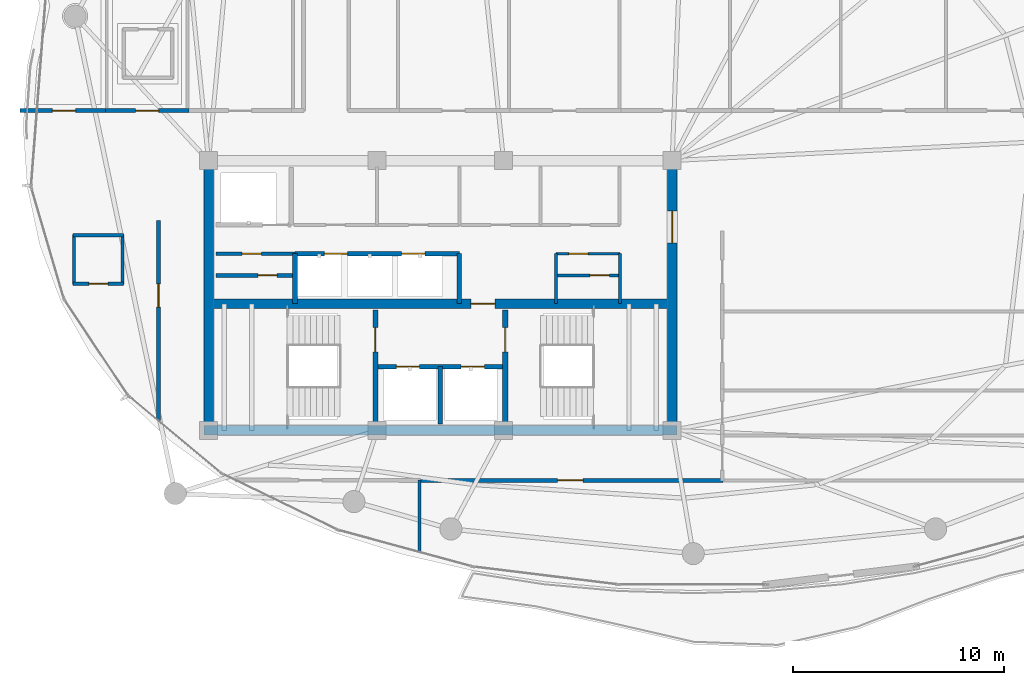
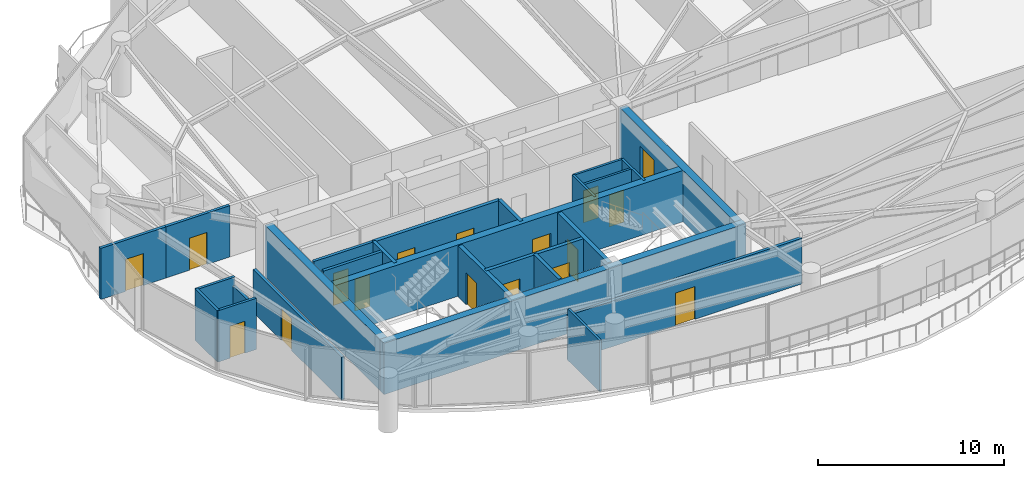
# One storey, part 25 of 31: 26 walls, 17 doors, 17 openings.
"""IFC4 building model written with IfcOpenShell, lengths in metres."""

import ifcopenshell
import ifcopenshell.guid

model = None  # the IFC model being written
_history = None  # IfcOwnerHistory: only IFC2X3 demands one
_inside = {}  # id of a spatial element -> (the spatial element, [elements in it])
_under = {}  # id of a project, library or spatial element -> (it, [spatial elements below it])
_declared = {}  # id of a project -> (the project, [libraries it declares])
_typed = {}  # id of a type object -> (the type object, [elements of that type])
_made_of = {}  # id of a material, layer set ... -> (it, [elements and type objects made of it])


def new_model(schema):
    """Start an empty IFC model of exactly this schema.

    Asked for "IFC4X3", IfcOpenShell would pick the latest addendum, in which some entities
    have other attributes; the version numbers below select the first issue.
    IFC2X3 requires an IfcOwnerHistory on every rooted entity: one is made here for all.
    """
    global model, _history
    if schema == "IFC4X3":
        model = ifcopenshell.file(schema_version=(4, 3, 0, 0))
    else:
        model = ifcopenshell.file(schema=schema)
    _inside.clear()
    _under.clear()
    _declared.clear()
    _typed.clear()
    _made_of.clear()
    _history = None
    if model.schema == "IFC2X3":
        org = make("IfcOrganization", Name="unknown")
        user = make(
            "IfcPersonAndOrganization",
            ThePerson=make("IfcPerson", FamilyName="unknown"),
            TheOrganization=org,
        )
        app = make(
            "IfcApplication",
            ApplicationDeveloper=org,
            Version="unknown",
            ApplicationFullName="unknown",
            ApplicationIdentifier="unknown",
        )
        _history = make(
            "IfcOwnerHistory",
            OwningUser=user,
            OwningApplication=app,
            ChangeAction="ADDED",
            CreationDate=0,
        )
    return model


def make(cls, **values):
    """One entity of the class cls with the attributes given. An attribute that is None is left unset."""
    return model.create_entity(
        cls, **{name: value for name, value in values.items() if value is not None}
    )


def rooted(cls, **values):
    """An entity with a GlobalId (a new one), such as an element, a storey or a relation."""
    return make(cls, GlobalId=ifcopenshell.guid.new(), OwnerHistory=_history, **values)


def si_unit(unit_type, name, prefix=None):
    """IfcSIUnit, for example si_unit("LENGTHUNIT", "METRE", prefix="MILLI")."""
    return make("IfcSIUnit", UnitType=unit_type, Prefix=prefix, Name=name)


def assignment(units):
    """IfcUnitAssignment: the units of a project."""
    return None if units is None else make("IfcUnitAssignment", Units=units)


def point(xyz):
    """IfcCartesianPoint."""
    return None if xyz is None else make("IfcCartesianPoint", Coordinates=xyz)


def direction(xyz):
    """IfcDirection."""
    return None if xyz is None else make("IfcDirection", DirectionRatios=xyz)


def frame(location, z_axis=None, x_axis=None):
    """IfcAxis2Placement3D, a coordinate frame: its origin and axes. An axis left out is left unset."""
    return make(
        "IfcAxis2Placement3D",
        Location=point(location),
        Axis=direction(z_axis),
        RefDirection=direction(x_axis),
    )


def frame_2d(location, x_axis=None):
    """IfcAxis2Placement2D, a coordinate frame in the plane: its origin and x axis."""
    return make(
        "IfcAxis2Placement2D", Location=point(location), RefDirection=direction(x_axis)
    )


def origin():
    """The frame at (0, 0, 0) with its axes left unset."""
    return frame((0.0, 0.0, 0.0))


def place(relative_to, where):
    """IfcLocalPlacement: puts the frame where relative to a parent placement (None: the world)."""
    return make(
        "IfcLocalPlacement", PlacementRelTo=relative_to, RelativePlacement=where
    )


def context(
    kind, dimensions, precision=None, world=None, true_north=None, identifier=None
):
    """IfcGeometricRepresentationContext, for example the 3D "Model" context."""
    return make(
        "IfcGeometricRepresentationContext",
        ContextIdentifier=identifier,
        ContextType=kind,
        CoordinateSpaceDimension=dimensions,
        Precision=precision,
        WorldCoordinateSystem=world,
        TrueNorth=true_north,
    )


def subcontext(parent, identifier, kind, view, scale=None):
    """IfcGeometricRepresentationSubContext, for example "Body" below "Model"."""
    return make(
        "IfcGeometricRepresentationSubContext",
        ContextIdentifier=identifier,
        ContextType=kind,
        ParentContext=parent,
        TargetScale=scale,
        TargetView=view,
    )


def project(units=None, contexts=None):
    """IfcProject with its units and contexts."""
    return rooted(
        "IfcProject",
        Name="project",
        RepresentationContexts=contexts,
        UnitsInContext=assignment(units),
    )


def spatial(cls, under=None, at=None, **own):
    """A site, building, storey or space (cls), placed at a placement, below another one or the project."""
    s = rooted(cls, ObjectPlacement=at, **own)
    if under is not None:
        _under.setdefault(under.id(), (under, []))[1].append(s)
    return s


def profile(cls, at=None, kind="AREA", **sizes):
    """A parametric profile (cls). Its sizes go by their IFC names, for example OverallWidth=200.0."""
    return make(cls, ProfileType=kind, Position=at, **sizes)


def rectangle(**sizes):
    """IfcRectangleProfileDef."""
    return profile("IfcRectangleProfileDef", **sizes)


def extrude(swept, where, along, depth):
    """IfcExtrudedAreaSolid: the profile swept, set in the frame where, extruded along a direction by depth."""
    return make(
        "IfcExtrudedAreaSolid",
        SweptArea=swept,
        Position=where,
        ExtrudedDirection=direction(along),
        Depth=depth,
    )


def shape(context_of_items, identifier, shape_type, items):
    """IfcShapeRepresentation: the items that make up one representation, for example the "Body"."""
    return make(
        "IfcShapeRepresentation",
        ContextOfItems=context_of_items,
        RepresentationIdentifier=identifier,
        RepresentationType=shape_type,
        Items=items,
    )


def material(Name=None, Category=None):
    """IfcMaterial."""
    return make("IfcMaterial", Name=Name, Category=Category)


def layer(
    of_material, thickness, ventilated=None, Name=None, Category=None, Priority=None
):
    """IfcMaterialLayer: one layer of a wall or slab, of a material (None: an air gap)."""
    return make(
        "IfcMaterialLayer",
        Material=of_material,
        LayerThickness=thickness,
        IsVentilated=ventilated,
        Name=Name,
        Category=Category,
        Priority=Priority,
    )


def layer_set(layers, Name=None):
    """IfcMaterialLayerSet."""
    return make("IfcMaterialLayerSet", MaterialLayers=layers, LayerSetName=Name)


def made_of(thing, what):
    """Note that an element or type object is made of a material, layer set ...; save() writes the relation."""
    if what is not None:
        _made_of.setdefault(what.id(), (what, []))[1].append(thing)
    return thing


def type_object(cls, material=None, **own):
    """A type object (cls), such as IfcWallType, which elements share."""
    return made_of(rooted(cls, **own), material)


def element(
    cls,
    number,
    at=None,
    inside=None,
    cuts=None,
    type_object=None,
    material=None,
    context=None,
    identifier="Body",
    shape_type=None,
    held_by="IfcProductDefinitionShape",
    body=None,
    shapes=None,
    **own,
):
    """One element of the class cls, such as IfcWall. Its Tag is "e" and its number.

    at: its placement. inside: the storey or other place that contains it. cuts: it is an
    opening in that element (IfcRelVoidsElement). A single representation is given by context,
    identifier, shape_type and body (its items); several are given by shapes. held_by: the class
    of the entity that holds the representations. save() writes the other relations.
    """
    e = rooted(cls, Tag="e%d" % number, ObjectPlacement=at, **own)
    if body is not None:
        shapes = [shape(context, identifier, shape_type, body)]
    if shapes is not None:
        e.Representation = make(held_by, Representations=shapes)
    if inside is not None:
        _inside.setdefault(inside.id(), (inside, []))[1].append(e)
    if cuts is not None:
        rooted(
            "IfcRelVoidsElement", RelatingBuildingElement=cuts, RelatedOpeningElement=e
        )
    if type_object is not None:
        _typed.setdefault(type_object.id(), (type_object, []))[1].append(e)
    return made_of(e, material)


def fill(opening, filler):
    """IfcRelFillsElement: the door or window that sits in an opening."""
    return rooted(
        "IfcRelFillsElement",
        RelatingOpeningElement=opening,
        RelatedBuildingElement=filler,
    )


def aggregate(whole, parts):
    """IfcRelAggregates: a whole, such as a stair, and the parts it consists of."""
    return rooted("IfcRelAggregates", RelatingObject=whole, RelatedObjects=parts)


def save(model, path):
    """Write the relations noted so far, then the file.

    IfcRelAggregates (storeys below a building ...), IfcRelContainedInSpatialStructure (elements
    in a storey), IfcRelDefinesByType, IfcRelAssociatesMaterial and IfcRelDeclares: one each for
    every whole, place, type object, material and project.
    """
    for whole, parts in _under.values():
        aggregate(whole, parts)
    for where, things in _inside.values():
        rooted(
            "IfcRelContainedInSpatialStructure",
            RelatedElements=things,
            RelatingStructure=where,
        )
    for kind, things in _typed.values():
        rooted("IfcRelDefinesByType", RelatedObjects=things, RelatingType=kind)
    for what, things in _made_of.values():
        rooted("IfcRelAssociatesMaterial", RelatedObjects=things, RelatingMaterial=what)
    for by, libraries in _declared.values():
        rooted("IfcRelDeclares", RelatingContext=by, RelatedDefinitions=libraries)
    model.write(path)


model = new_model("IFC4")

# Units and contexts
model_context = context("Model", 3, precision=1e-05, world=origin(), true_north=direction((0.0, 1.0)))
body_context = subcontext(model_context, "Body", "Model", "MODEL_VIEW")
ifc_project = project(units=[si_unit("LENGTHUNIT", "METRE"), si_unit("AREAUNIT", "SQUARE_METRE"), si_unit("VOLUMEUNIT", "CUBIC_METRE"), si_unit("PLANEANGLEUNIT", "RADIAN"), si_unit("MASSUNIT", "GRAM", prefix="KILO")], contexts=[model_context])

# Site, building, storey
site_placement = place(None, origin())
site = spatial("IfcSite", under=ifc_project, at=site_placement, CompositionType="ELEMENT")
building_placement = place(site_placement, origin())
building = spatial("IfcBuilding", under=site, at=building_placement, Name="Kazevale Care Tower and Concert Hall", CompositionType="ELEMENT")
storey_placement = place(building_placement, frame((0.0, 0.0, 202.800048828125)))
storey = spatial("IfcBuildingStorey", under=building, at=storey_placement, Name="L53", CompositionType="ELEMENT", Elevation=202.800048828125)

# Walls
ifc_material_1 = material(Name="Acoustic Gypsum on Steel Stud", Category="steel")
ifc_layer_1 = layer(ifc_material_1, 0.139892578125)
ifc_layer_set_1 = layer_set([ifc_layer_1], Name="Acoustic Gypsum on Steel Stud")
wall_type_1 = type_object("IfcWallType", Name="Acoustic Care & Suite Partition 140", PredefinedType="PARTITIONING", material=ifc_layer_set_1)
for number, where, z_axis, x_axis, name in (
    (1, (38.47998046875, 29.6201171875, 0.0), (0.0, 0.0, 1.0), (0.0, 1.0, 0.0), "wall:L53:kc_ew"),
    (2, (41.52001953125, 29.6201171875, 0.0), (0.0, 0.0, 1.0), (0.0, 1.0, 0.0), "wall:L53:kc_ee"),
):
    element("IfcWall", number, at=place(storey_placement, frame(where, z_axis=z_axis, x_axis=x_axis)), inside=storey, type_object=wall_type_1, Name=name, PredefinedType="PARTITIONING", context=body_context, shape_type="SweptSolid", body=[
        extrude(rectangle(XDim=2.35986328125, YDim=0.139892578125, at=frame_2d((1.179931640625, 0.0))), origin(), (0.0, 0.0, 1.0), 3.35986328125),
    ])

# Wall, opening, door
wall_1_placement = place(storey_placement, frame((38.47998046875, 30.949951171875, 0.0), z_axis=(0.0, 0.0, 1.0), x_axis=(1.0, 0.0, 0.0)))
wall_1 = element("IfcWall", 3, at=wall_1_placement, inside=storey, type_object=wall_type_1, Name="wall:L53:kc_em", PredefinedType="PARTITIONING", context=body_context, shape_type="SweptSolid", body=[
    extrude(rectangle(XDim=3.0400390625, YDim=0.139892578125, at=frame_2d((1.52001953125, 0.0))), origin(), (0.0, 0.0, 1.0), 3.35986328125),
])
opening_1_placement = place(wall_1_placement, frame((1.616943359375, 0.0, 0.0)))
opening_1 = element("IfcOpeningElement", 4, at=opening_1_placement, cuts=wall_1, Name="Opening ID-900", PredefinedType="OPENING", context=body_context, shape_type="SweptSolid", body=[
    extrude(rectangle(XDim=0.919921875, YDim=2.10009765625, at=frame_2d((0.4599609375, 1.050048828125))), frame((0.0, 0.079833984375, 0.0), z_axis=(0.0, -1.0, 0.0), x_axis=(1.0, 0.0, 0.0)), (0.0, 0.0, 1.0), 0.159912109375),
])
ifc_material_2 = material(Name="Oak Timber Fire Leaf", Category="wood")
door_type_1 = type_object("IfcDoorType", Name="Bathroom & Service Door 920x2100", OperationType="NOTDEFINED", PredefinedType="DOOR", material=ifc_material_2)
door_1_placement = place(opening_1_placement, origin())
door_1 = element("IfcDoor", 5, at=door_1_placement, inside=storey, type_object=door_type_1, Name="door:L53:d_kceb", OperationType="SINGLE_SWING_RIGHT", OverallHeight=2.10009765625, OverallWidth=0.919921875, PredefinedType="DOOR", context=body_context, shape_type="SweptSolid", body=[
    extrude(rectangle(XDim=0.919921875, YDim=2.10009765625, at=frame_2d((0.4599609375, 1.050048828125))), frame((0.0, 0.02490234375, 0.0), z_axis=(0.0, -1.0, 0.0), x_axis=(1.0, 0.0, 0.0)), (0.0, 0.0, 1.0), 0.050048828125),
])
fill(opening_1, door_1)

wall_2_placement = place(storey_placement, frame((38.47998046875, 31.97998046875, 0.0), z_axis=(0.0, 0.0, 1.0), x_axis=(1.0, 0.0, 0.0)))
wall_2 = element("IfcWall", 6, at=wall_2_placement, inside=storey, type_object=wall_type_1, Name="wall:L53:kc_en", PredefinedType="PARTITIONING", context=body_context, shape_type="SweptSolid", body=[
    extrude(rectangle(XDim=3.0400390625, YDim=0.139892578125, at=frame_2d((1.52001953125, 0.0))), origin(), (0.0, 0.0, 1.0), 3.35986328125),
])
opening_2_placement = place(wall_2_placement, frame((0.614013671875, 0.0, 0.0)))
opening_2 = element("IfcOpeningElement", 7, at=opening_2_placement, cuts=wall_2, Name="Opening ID-900", PredefinedType="OPENING", context=body_context, shape_type="SweptSolid", body=[
    extrude(rectangle(XDim=0.919921875, YDim=2.10009765625, at=frame_2d((0.4599609375, 1.050048828125))), frame((0.0, 0.079833984375, 0.0), z_axis=(0.0, -1.0, 0.0), x_axis=(1.0, 0.0, 0.0)), (0.0, 0.0, 1.0), 0.159912109375),
])
door_2_placement = place(opening_2_placement, origin())
door_2 = element("IfcDoor", 8, at=door_2_placement, inside=storey, type_object=door_type_1, Name="door:L53:d_kcet", OperationType="SINGLE_SWING_LEFT", OverallHeight=2.10009765625, OverallWidth=0.919921875, PredefinedType="DOOR", context=body_context, shape_type="SweptSolid", body=[
    extrude(rectangle(XDim=0.919921875, YDim=2.10009765625, at=frame_2d((0.4599609375, 1.050048828125))), frame((0.0, 0.02490234375, 0.0), z_axis=(0.0, -1.0, 0.0), x_axis=(1.0, 0.0, 0.0)), (0.0, 0.0, 1.0), 0.050048828125),
])
fill(opening_2, door_2)

# Walls
wall_3_placement = place(storey_placement, frame((32.0, 21.2548828125, 0.0), z_axis=(0.0, 0.0, 1.0), x_axis=(0.0, -1.0, 0.0)))
element("IfcWall", 9, at=wall_3_placement, inside=storey, type_object=wall_type_1, Name="wall:L53:auto_038", PredefinedType="PARTITIONING", context=body_context, shape_type="SweptSolid", body=[
    extrude(rectangle(XDim=3.42236328125, YDim=0.139892578125, at=frame_2d((1.711181640625, 0.0))), origin(), (0.0, 0.0, 1.0), 3.35986328125),
])
ifc_material_3 = material(Name="Concrete C50", Category="concrete")
ifc_layer_2 = layer(ifc_material_3, 0.449951171875)
ifc_layer_set_2 = layer_set([ifc_layer_2], Name="Concrete C50")
wall_type_2 = type_object("IfcWallType", Name="Core Shear Wall 450 C50", PredefinedType="SHEAR", material=ifc_layer_set_2)
wall_4_placement = place(storey_placement, frame((21.77490234375, 23.60009765625, 0.0), z_axis=(0.0, 0.0, 1.0), x_axis=(1.0, 0.0, 0.0)))
element("IfcWall", 10, at=wall_4_placement, inside=storey, type_object=wall_type_2, Name="wall:L53:core:S", PredefinedType="SHEAR", context=body_context, shape_type="SweptSolid", body=[
    extrude(rectangle(XDim=22.4501953125, YDim=0.449951171875, at=frame_2d((11.22509765625, 0.0))), origin(), (0.0, 0.0, 1.0), 3.35986328125),
])
wall_5_placement = place(storey_placement, frame((22.0, 23.824951171875, 0.0), z_axis=(0.0, 0.0, 1.0), x_axis=(0.0, 1.0, 0.0)))
element("IfcWall", 11, at=wall_5_placement, inside=storey, type_object=wall_type_2, Name="wall:L53:core:W", PredefinedType="SHEAR", context=body_context, shape_type="SweptSolid", body=[
    extrude(rectangle(XDim=12.35009765625, YDim=0.449951171875, at=frame_2d((6.175048828125, 0.0))), origin(), (0.0, 0.0, 1.0), 3.35986328125),
])

# Wall, opening, door
wall_6_placement = place(storey_placement, frame((44.0, 23.824951171875, 0.0), z_axis=(0.0, 0.0, 1.0), x_axis=(0.0, 1.0, 0.0)))
wall_6 = element("IfcWall", 12, at=wall_6_placement, inside=storey, type_object=wall_type_2, Name="wall:L53:core:E", PredefinedType="SHEAR", context=body_context, shape_type="SweptSolid", body=[
    extrude(rectangle(XDim=12.35009765625, YDim=0.449951171875, at=frame_2d((6.175048828125, 0.0))), origin(), (0.0, 0.0, 1.0), 3.35986328125),
])
opening_3_placement = place(wall_6_placement, frame((8.675048828125, 0.0, 0.0)))
opening_3 = element("IfcOpeningElement", 13, at=opening_3_placement, cuts=wall_6, Name="Opening FD-60D", PredefinedType="OPENING", context=body_context, shape_type="SweptSolid", body=[
    extrude(rectangle(XDim=1.5, YDim=2.14990234375, at=frame_2d((0.75, 1.074951171875))), frame((0.0, 0.23486328125, 0.0), z_axis=(0.0, -1.0, 0.0), x_axis=(1.0, 0.0, 0.0)), (0.0, 0.0, 1.0), 0.469970703125),
])
door_type_2 = type_object("IfcDoorType", Name="Double Lobby & Auditorium Fire Door 1500x2150", OperationType="NOTDEFINED", PredefinedType="DOOR", material=ifc_material_2)
door_3_placement = place(opening_3_placement, origin())
door_3 = element("IfcDoor", 14, at=door_3_placement, inside=storey, type_object=door_type_2, Name="door:L53:core_east_out", OperationType="DOUBLE_DOOR_SINGLE_SWING", OverallHeight=2.14990234375, OverallWidth=1.5, PredefinedType="DOOR", context=body_context, shape_type="SweptSolid", body=[
    extrude(rectangle(XDim=1.5, YDim=2.14990234375, at=frame_2d((0.75, 1.074951171875))), frame((0.0, 0.02490234375, 0.0), z_axis=(0.0, -1.0, 0.0), x_axis=(1.0, 0.0, 0.0)), (0.0, 0.0, 1.0), 0.050048828125),
])
fill(opening_3, door_3)

wall_7_placement = place(storey_placement, frame((22.22509765625, 29.60009765625, 0.0), z_axis=(0.0, 0.0, 1.0), x_axis=(1.0, 0.0, 0.0)))
wall_7 = element("IfcWall", 15, at=wall_7_placement, inside=storey, type_object=wall_type_2, Name="wall:L53:core:M", PredefinedType="SHEAR", context=body_context, shape_type="SweptSolid", body=[
    extrude(rectangle(XDim=21.5498046875, YDim=0.449951171875, at=frame_2d((10.77490234375, 0.0))), origin(), (0.0, 0.0, 1.0), 3.35986328125),
])
opening_4_placement = place(wall_7_placement, frame((12.22509765625, 0.0, 0.0)))
opening_4 = element("IfcOpeningElement", 16, at=opening_4_placement, cuts=wall_7, Name="Opening FD-90", PredefinedType="OPENING", context=body_context, shape_type="SweptSolid", body=[
    extrude(rectangle(XDim=1.14990234375, YDim=2.10009765625, at=frame_2d((0.574951171875, 1.050048828125))), frame((0.0, 0.23486328125, 0.0), z_axis=(0.0, -1.0, 0.0), x_axis=(1.0, 0.0, 0.0)), (0.0, 0.0, 1.0), 0.469970703125),
])
ifc_material_4 = material(Name="Steel ASTM A572 Gr 50", Category="steel")
door_type_3 = type_object("IfcDoorType", Name="Pressurized Stair & Lobby Fire Door 1150x2100", OperationType="NOTDEFINED", PredefinedType="DOOR", material=ifc_material_4)
door_4_placement = place(opening_4_placement, origin())
door_4 = element("IfcDoor", 17, at=door_4_placement, inside=storey, type_object=door_type_3, Name="door:L53:ff_to_pax", OperationType="SINGLE_SWING_LEFT", OverallHeight=2.10009765625, OverallWidth=1.14990234375, PredefinedType="DOOR", context=body_context, shape_type="SweptSolid", body=[
    extrude(rectangle(XDim=1.14990234375, YDim=2.10009765625, at=frame_2d((0.574951171875, 1.050048828125))), frame((0.0, 0.02490234375, 0.0), z_axis=(0.0, -1.0, 0.0), x_axis=(1.0, 0.0, 0.0)), (0.0, 0.0, 1.0), 0.050048828125),
])
fill(opening_4, door_4)

# Wall, openings, doors
ifc_material_5 = material(Name="Concrete C40", Category="concrete")
ifc_layer_3 = layer(ifc_material_5, 0.219970703125)
ifc_layer_set_3 = layer_set([ifc_layer_3], Name="Concrete C40")
wall_type_3 = type_object("IfcWallType", Name="Elevator Hoistway Shaft Wall 220", PredefinedType="SOLIDWALL", material=ifc_layer_set_3)
wall_8_placement = place(storey_placement, frame((29.919921875, 26.6201171875, 0.0), z_axis=(0.0, 0.0, 1.0), x_axis=(1.0, 0.0, 0.0)))
wall_8 = element("IfcWall", 18, at=wall_8_placement, inside=storey, type_object=wall_type_3, Name="wall:L53:c_ffl_n", PredefinedType="SOLIDWALL", context=body_context, shape_type="SweptSolid", body=[
    extrude(rectangle(XDim=6.16015625, YDim=0.219970703125, at=frame_2d((3.080078125, 0.0))), origin(), (0.0, 0.0, 1.0), 3.35986328125),
])
opening_5_placement = place(wall_8_placement, frame((0.989990234375, 0.0, 0.0)))
opening_5 = element("IfcOpeningElement", 19, at=opening_5_placement, cuts=wall_8, Name="Opening LD-FF", PredefinedType="OPENING", context=body_context, shape_type="SweptSolid", body=[
    extrude(rectangle(XDim=1.10009765625, YDim=2.10009765625, at=frame_2d((0.550048828125, 1.050048828125))), frame((0.0, 0.119873046875, 0.0), z_axis=(0.0, -1.0, 0.0), x_axis=(1.0, 0.0, 0.0)), (0.0, 0.0, 1.0), 0.239990234375),
])
opening_6_placement = place(wall_8_placement, frame((4.070068359375, 0.0, 0.0)))
opening_6 = element("IfcOpeningElement", 20, at=opening_6_placement, cuts=wall_8, Name="Opening LD-FF", PredefinedType="OPENING", context=body_context, shape_type="SweptSolid", body=[
    extrude(rectangle(XDim=1.10009765625, YDim=2.10009765625, at=frame_2d((0.550048828125, 1.050048828125))), frame((0.0, 0.119873046875, 0.0), z_axis=(0.0, -1.0, 0.0), x_axis=(1.0, 0.0, 0.0)), (0.0, 0.0, 1.0), 0.239990234375),
])
ifc_material_6 = material(Name="Stainless Steel 316", Category="steel")
door_type_4 = type_object("IfcDoorType", Name="Emergency Lift Sliding Landing Door 1100x2100", OperationType="NOTDEFINED", PredefinedType="DOOR", material=ifc_material_6)
door_5_placement = place(opening_5_placement, origin())
door_5 = element("IfcDoor", 21, at=door_5_placement, inside=storey, type_object=door_type_4, Name="door:L53:ld_ffl1", OperationType="SLIDING_TO_LEFT", OverallHeight=2.10009765625, OverallWidth=1.10009765625, PredefinedType="DOOR", context=body_context, shape_type="SweptSolid", body=[
    extrude(rectangle(XDim=1.10009765625, YDim=2.10009765625, at=frame_2d((0.550048828125, 1.050048828125))), frame((0.0, 0.02490234375, 0.0), z_axis=(0.0, -1.0, 0.0), x_axis=(1.0, 0.0, 0.0)), (0.0, 0.0, 1.0), 0.050048828125),
])
fill(opening_5, door_5)
door_6_placement = place(opening_6_placement, origin())
door_6 = element("IfcDoor", 22, at=door_6_placement, inside=storey, type_object=door_type_4, Name="door:L53:ld_ffl2", OperationType="SLIDING_TO_RIGHT", OverallHeight=2.10009765625, OverallWidth=1.10009765625, PredefinedType="DOOR", context=body_context, shape_type="SweptSolid", body=[
    extrude(rectangle(XDim=1.10009765625, YDim=2.10009765625, at=frame_2d((0.550048828125, 1.050048828125))), frame((0.0, 0.02490234375, 0.0), z_axis=(0.0, -1.0, 0.0), x_axis=(1.0, 0.0, 0.0)), (0.0, 0.0, 1.0), 0.050048828125),
])
fill(opening_6, door_6)

# Walls
wall_9_placement = place(storey_placement, frame((33.0, 23.89990234375, 0.0), z_axis=(0.0, 0.0, 1.0), x_axis=(0.0, 1.0, 0.0)))
element("IfcWall", 23, at=wall_9_placement, inside=storey, type_object=wall_type_3, Name="wall:L53:c_ffl_m", PredefinedType="SOLIDWALL", context=body_context, shape_type="SweptSolid", body=[
    extrude(rectangle(XDim=2.72021484375, YDim=0.219970703125, at=frame_2d((1.360107421875, 0.0))), origin(), (0.0, 0.0, 1.0), 3.35986328125),
])
wall_10_placement = place(storey_placement, frame((26.10009765625, 29.6201171875, 0.0), z_axis=(0.0, 0.0, 1.0), x_axis=(0.0, 1.0, 0.0)))
element("IfcWall", 24, at=wall_10_placement, inside=storey, type_object=wall_type_3, Name="wall:L53:c_ph_w", PredefinedType="SOLIDWALL", context=body_context, shape_type="SweptSolid", body=[
    extrude(rectangle(XDim=2.35986328125, YDim=0.219970703125, at=frame_2d((1.179931640625, 0.0))), origin(), (0.0, 0.0, 1.0), 3.35986328125),
])

# Wall, openings, doors
wall_11_placement = place(storey_placement, frame((26.10009765625, 31.97998046875, 0.0), z_axis=(0.0, 0.0, 1.0), x_axis=(1.0, 0.0, 0.0)))
wall_11 = element("IfcWall", 25, at=wall_11_placement, inside=storey, type_object=wall_type_3, Name="wall:L53:c_ph_n", PredefinedType="SOLIDWALL", context=body_context, shape_type="SweptSolid", body=[
    extrude(rectangle(XDim=7.7998046875, YDim=0.219970703125, at=frame_2d((3.89990234375, 0.0))), origin(), (0.0, 0.0, 1.0), 3.35986328125),
])
opening_7_placement = place(wall_11_placement, frame((1.39990234375, 0.0, 0.0)))
opening_7 = element("IfcOpeningElement", 26, at=opening_7_placement, cuts=wall_11, Name="Opening LD-PAX", PredefinedType="OPENING", context=body_context, shape_type="SweptSolid", body=[
    extrude(rectangle(XDim=1.10009765625, YDim=2.10009765625, at=frame_2d((0.550048828125, 1.050048828125))), frame((0.0, 0.119873046875, 0.0), z_axis=(0.0, -1.0, 0.0), x_axis=(1.0, 0.0, 0.0)), (0.0, 0.0, 1.0), 0.239990234375),
])
opening_8_placement = place(wall_11_placement, frame((5.06591796875, 0.0, 0.0)))
opening_8 = element("IfcOpeningElement", 27, at=opening_8_placement, cuts=wall_11, Name="Opening LD-PAX", PredefinedType="OPENING", context=body_context, shape_type="SweptSolid", body=[
    extrude(rectangle(XDim=1.10009765625, YDim=2.10009765625, at=frame_2d((0.550048828125, 1.050048828125))), frame((0.0, 0.119873046875, 0.0), z_axis=(0.0, -1.0, 0.0), x_axis=(1.0, 0.0, 0.0)), (0.0, 0.0, 1.0), 0.239990234375),
])
door_type_5 = type_object("IfcDoorType", Name="Passenger Lift Sliding Landing Door 1100x2100", OperationType="NOTDEFINED", PredefinedType="DOOR", material=ifc_material_6)
door_7_placement = place(opening_7_placement, origin())
door_7 = element("IfcDoor", 28, at=door_7_placement, inside=storey, type_object=door_type_5, Name="door:L53:ld_ph1", OperationType="SLIDING_TO_LEFT", OverallHeight=2.10009765625, OverallWidth=1.10009765625, PredefinedType="DOOR", context=body_context, shape_type="SweptSolid", body=[
    extrude(rectangle(XDim=1.10009765625, YDim=2.10009765625, at=frame_2d((0.550048828125, 1.050048828125))), frame((0.0, 0.02490234375, 0.0), z_axis=(0.0, -1.0, 0.0), x_axis=(1.0, 0.0, 0.0)), (0.0, 0.0, 1.0), 0.050048828125),
])
fill(opening_7, door_7)
door_8_placement = place(opening_8_placement, origin())
door_8 = element("IfcDoor", 29, at=door_8_placement, inside=storey, type_object=door_type_5, Name="door:L53:ld_ph2", OperationType="SLIDING_TO_RIGHT", OverallHeight=2.10009765625, OverallWidth=1.10009765625, PredefinedType="DOOR", context=body_context, shape_type="SweptSolid", body=[
    extrude(rectangle(XDim=1.10009765625, YDim=2.10009765625, at=frame_2d((0.550048828125, 1.050048828125))), frame((0.0, 0.02490234375, 0.0), z_axis=(0.0, -1.0, 0.0), x_axis=(1.0, 0.0, 0.0)), (0.0, 0.0, 1.0), 0.050048828125),
])
fill(opening_8, door_8)

# Wall
wall_12_placement = place(storey_placement, frame((33.89990234375, 29.6201171875, 0.0), z_axis=(0.0, 0.0, 1.0), x_axis=(0.0, 1.0, 0.0)))
element("IfcWall", 30, at=wall_12_placement, inside=storey, type_object=wall_type_3, Name="wall:L53:c_ph_e", PredefinedType="SOLIDWALL", context=body_context, shape_type="SweptSolid", body=[
    extrude(rectangle(XDim=2.35986328125, YDim=0.219970703125, at=frame_2d((1.179931640625, 0.0))), origin(), (0.0, 0.0, 1.0), 3.35986328125),
])

# Wall, opening, door
ifc_material_7 = material(Name="Concrete C40 and Acoustic Gypsum", Category="concrete")
ifc_layer_4 = layer(ifc_material_7, 0.179931640625)
ifc_layer_set_4 = layer_set([ifc_layer_4], Name="Concrete C40 and Acoustic Gypsum")
wall_type_4 = type_object("IfcWallType", Name="Fire-Rated Corridor & Party Wall 180", PredefinedType="PARTITIONING", material=ifc_layer_set_4)
wall_13_placement = place(storey_placement, frame((22.35009765625, 30.949951171875, 0.0), z_axis=(0.0, 0.0, 1.0), x_axis=(1.0, 0.0, 0.0)))
wall_13 = element("IfcWall", 31, at=wall_13_placement, inside=storey, type_object=wall_type_4, Name="wall:L53:kc_wm", PredefinedType="PARTITIONING", context=body_context, shape_type="SweptSolid", body=[
    extrude(rectangle(XDim=3.75, YDim=0.179931640625, at=frame_2d((1.875, 0.0))), origin(), (0.0, 0.0, 1.0), 3.35986328125),
])
opening_9_placement = place(wall_13_placement, frame((1.988037109375, 0.0, 0.0)))
opening_9 = element("IfcOpeningElement", 32, at=opening_9_placement, cuts=wall_13, Name="Opening ID-900", PredefinedType="OPENING", context=body_context, shape_type="SweptSolid", body=[
    extrude(rectangle(XDim=0.919921875, YDim=2.10009765625, at=frame_2d((0.4599609375, 1.050048828125))), frame((0.0, 0.099853515625, 0.0), z_axis=(0.0, -1.0, 0.0), x_axis=(1.0, 0.0, 0.0)), (0.0, 0.0, 1.0), 0.199951171875),
])
door_9_placement = place(opening_9_placement, origin())
door_9 = element("IfcDoor", 33, at=door_9_placement, inside=storey, type_object=door_type_1, Name="door:L53:d_kcwb", OperationType="SINGLE_SWING_RIGHT", OverallHeight=2.10009765625, OverallWidth=0.919921875, PredefinedType="DOOR", context=body_context, shape_type="SweptSolid", body=[
    extrude(rectangle(XDim=0.919921875, YDim=2.10009765625, at=frame_2d((0.4599609375, 1.050048828125))), frame((0.0, 0.02490234375, 0.0), z_axis=(0.0, -1.0, 0.0), x_axis=(1.0, 0.0, 0.0)), (0.0, 0.0, 1.0), 0.050048828125),
])
fill(opening_9, door_9)

wall_14_placement = place(storey_placement, frame((22.35009765625, 31.97998046875, 0.0), z_axis=(0.0, 0.0, 1.0), x_axis=(1.0, 0.0, 0.0)))
wall_14 = element("IfcWall", 34, at=wall_14_placement, inside=storey, type_object=wall_type_4, Name="wall:L53:kc_wn", PredefinedType="PARTITIONING", context=body_context, shape_type="SweptSolid", body=[
    extrude(rectangle(XDim=3.75, YDim=0.179931640625, at=frame_2d((1.875, 0.0))), origin(), (0.0, 0.0, 1.0), 3.35986328125),
])
opening_10_placement = place(wall_14_placement, frame((1.238037109375, 0.0, 0.0)))
opening_10 = element("IfcOpeningElement", 35, at=opening_10_placement, cuts=wall_14, Name="Opening ID-900", PredefinedType="OPENING", context=body_context, shape_type="SweptSolid", body=[
    extrude(rectangle(XDim=0.919921875, YDim=2.10009765625, at=frame_2d((0.4599609375, 1.050048828125))), frame((0.0, 0.099853515625, 0.0), z_axis=(0.0, -1.0, 0.0), x_axis=(1.0, 0.0, 0.0)), (0.0, 0.0, 1.0), 0.199951171875),
])
door_10_placement = place(opening_10_placement, origin())
door_10 = element("IfcDoor", 36, at=door_10_placement, inside=storey, type_object=door_type_1, Name="door:L53:d_kcwt", OperationType="SINGLE_SWING_LEFT", OverallHeight=2.10009765625, OverallWidth=0.919921875, PredefinedType="DOOR", context=body_context, shape_type="SweptSolid", body=[
    extrude(rectangle(XDim=0.919921875, YDim=2.10009765625, at=frame_2d((0.4599609375, 1.050048828125))), frame((0.0, 0.02490234375, 0.0), z_axis=(0.0, -1.0, 0.0), x_axis=(1.0, 0.0, 0.0)), (0.0, 0.0, 1.0), 0.050048828125),
])
fill(opening_10, door_10)

wall_15_placement = place(storey_placement, frame((13.053955078125, 38.77490234375, 0.0), z_axis=(0.0, 0.0, 1.0), x_axis=(1.0, 0.0, 0.0)))
wall_15 = element("IfcWall", 37, at=wall_15_placement, inside=storey, type_object=wall_type_4, Name="wall:L53:auto_001", PredefinedType="PARTITIONING", context=body_context, shape_type="SweptSolid", body=[
    extrude(rectangle(XDim=4.18115234375, YDim=0.179931640625, at=frame_2d((2.090576171875, 0.0))), origin(), (0.0, 0.0, 1.0), 3.35986328125),
])
opening_11_placement = place(wall_15_placement, frame((1.5400390625, 0.0, 0.0)))
opening_11 = element("IfcOpeningElement", 38, at=opening_11_placement, cuts=wall_15, Name="Opening ID-1100", PredefinedType="OPENING", context=body_context, shape_type="SweptSolid", body=[
    extrude(rectangle(XDim=1.10009765625, YDim=2.10009765625, at=frame_2d((0.550048828125, 1.050048828125))), frame((0.0, 0.099853515625, 0.0), z_axis=(0.0, -1.0, 0.0), x_axis=(1.0, 0.0, 0.0)), (0.0, 0.0, 1.0), 0.199951171875),
])
door_type_6 = type_object("IfcDoorType", Name="Care Bedroom Accessible Door 1100x2100", OperationType="NOTDEFINED", PredefinedType="DOOR", material=ifc_material_2)
door_11_placement = place(opening_11_placement, origin())
door_11 = element("IfcDoor", 39, at=door_11_placement, inside=storey, type_object=door_type_6, Name="door:L53:ad_001", OperationType="SINGLE_SWING_LEFT", OverallHeight=2.10009765625, OverallWidth=1.10009765625, PredefinedType="DOOR", context=body_context, shape_type="SweptSolid", body=[
    extrude(rectangle(XDim=1.10009765625, YDim=2.10009765625, at=frame_2d((0.550048828125, 1.050048828125))), frame((0.0, 0.02490234375, 0.0), z_axis=(0.0, -1.0, 0.0), x_axis=(1.0, 0.0, 0.0)), (0.0, 0.0, 1.0), 0.050048828125),
])
fill(opening_11, door_11)

wall_16_placement = place(storey_placement, frame((17.10498046875, 38.77490234375, 0.0), z_axis=(0.0, 0.0, 1.0), x_axis=(1.0, 0.0, 0.0)))
wall_16 = element("IfcWall", 40, at=wall_16_placement, inside=storey, type_object=wall_type_4, Name="wall:L53:auto_002", PredefinedType="PARTITIONING", context=body_context, shape_type="SweptSolid", body=[
    extrude(rectangle(XDim=3.9599609375, YDim=0.179931640625, at=frame_2d((1.97998046875, 0.0))), origin(), (0.0, 0.0, 1.0), 3.35986328125),
])
opening_12_placement = place(wall_16_placement, frame((1.429931640625, 0.0, 0.0)))
opening_12 = element("IfcOpeningElement", 41, at=opening_12_placement, cuts=wall_16, Name="Opening ID-1100", PredefinedType="OPENING", context=body_context, shape_type="SweptSolid", body=[
    extrude(rectangle(XDim=1.10009765625, YDim=2.10009765625, at=frame_2d((0.550048828125, 1.050048828125))), frame((0.0, 0.099853515625, 0.0), z_axis=(0.0, -1.0, 0.0), x_axis=(1.0, 0.0, 0.0)), (0.0, 0.0, 1.0), 0.199951171875),
])
door_12_placement = place(opening_12_placement, origin())
door_12 = element("IfcDoor", 42, at=door_12_placement, inside=storey, type_object=door_type_6, Name="door:L53:ad_002", OperationType="SINGLE_SWING_LEFT", OverallHeight=2.10009765625, OverallWidth=1.10009765625, PredefinedType="DOOR", context=body_context, shape_type="SweptSolid", body=[
    extrude(rectangle(XDim=1.10009765625, YDim=2.10009765625, at=frame_2d((0.550048828125, 1.050048828125))), frame((0.0, 0.02490234375, 0.0), z_axis=(0.0, -1.0, 0.0), x_axis=(1.0, 0.0, 0.0)), (0.0, 0.0, 1.0), 0.050048828125),
])
fill(opening_12, door_12)

wall_17_placement = place(storey_placement, frame((46.405029296875, 21.22509765625, 0.0), z_axis=(0.0, 0.0, 1.0), x_axis=(-1.0, 0.0, 0.0)))
wall_17 = element("IfcWall", 43, at=wall_17_placement, inside=storey, type_object=wall_type_4, Name="wall:L53:auto_021", PredefinedType="PARTITIONING", context=body_context, shape_type="SweptSolid", body=[
    extrude(rectangle(XDim=14.469970703125, YDim=0.179931640625, at=frame_2d((7.23486328125, 0.0))), origin(), (0.0, 0.0, 1.0), 2.995849609375),
])
opening_13_placement = place(wall_17_placement, frame((6.635009765625, 0.0, 0.0)))
opening_13 = element("IfcOpeningElement", 44, at=opening_13_placement, cuts=wall_17, Name="Opening ID-1200", PredefinedType="OPENING", context=body_context, shape_type="SweptSolid", body=[
    extrude(rectangle(XDim=1.199951171875, YDim=2.14990234375, at=frame_2d((0.60009765625, 1.074951171875))), frame((0.0, 0.099853515625, 0.0), z_axis=(0.0, -1.0, 0.0), x_axis=(1.0, 0.0, 0.0)), (0.0, 0.0, 1.0), 0.199951171875),
])
door_type_7 = type_object("IfcDoorType", Name="Clinical & Therapy Door 1200x2150", OperationType="NOTDEFINED", PredefinedType="DOOR", material=ifc_material_2)
door_13_placement = place(opening_13_placement, origin())
door_13 = element("IfcDoor", 45, at=door_13_placement, inside=storey, type_object=door_type_7, Name="door:L53:ad_021", OperationType="SINGLE_SWING_LEFT", OverallHeight=2.14990234375, OverallWidth=1.199951171875, PredefinedType="DOOR", context=body_context, shape_type="SweptSolid", body=[
    extrude(rectangle(XDim=1.199951171875, YDim=2.14990234375, at=frame_2d((0.60009765625, 1.074951171875))), frame((0.0, 0.02490234375, 0.0), z_axis=(0.0, -1.0, 0.0), x_axis=(1.0, 0.0, 0.0)), (0.0, 0.0, 1.0), 0.050048828125),
])
fill(opening_13, door_13)

wall_18_placement = place(storey_placement, frame((19.625, 24.059814453125, 0.0), z_axis=(0.0, 0.0, 1.0), x_axis=(0.0, 1.0, 0.0)))
wall_18 = element("IfcWall", 46, at=wall_18_placement, inside=storey, type_object=wall_type_4, Name="wall:L53:auto_022", PredefinedType="PARTITIONING", context=body_context, shape_type="SweptSolid", body=[
    extrude(rectangle(XDim=9.505126953125, YDim=0.179931640625, at=frame_2d((4.75244140625, 0.0))), origin(), (0.0, 0.0, 1.0), 2.81689453125),
])
opening_14_placement = place(wall_18_placement, frame((5.389892578125, 0.0, 0.0)))
opening_14 = element("IfcOpeningElement", 47, at=opening_14_placement, cuts=wall_18, Name="Opening ID-1100", PredefinedType="OPENING", context=body_context, shape_type="SweptSolid", body=[
    extrude(rectangle(XDim=1.10009765625, YDim=2.10009765625, at=frame_2d((0.550048828125, 1.050048828125))), frame((0.0, 0.099853515625, 0.0), z_axis=(0.0, -1.0, 0.0), x_axis=(1.0, 0.0, 0.0)), (0.0, 0.0, 1.0), 0.199951171875),
])
door_14_placement = place(opening_14_placement, origin())
door_14 = element("IfcDoor", 48, at=door_14_placement, inside=storey, type_object=door_type_6, Name="door:L53:ad_022", OperationType="SINGLE_SWING_LEFT", OverallHeight=2.10009765625, OverallWidth=1.10009765625, PredefinedType="DOOR", context=body_context, shape_type="SweptSolid", body=[
    extrude(rectangle(XDim=1.10009765625, YDim=2.10009765625, at=frame_2d((0.550048828125, 1.050048828125))), frame((0.0, 0.02490234375, 0.0), z_axis=(0.0, -1.0, 0.0), x_axis=(1.0, 0.0, 0.0)), (0.0, 0.0, 1.0), 0.050048828125),
])
fill(opening_14, door_14)

ifc_layer_5 = layer(ifc_material_1, 0.159912109375)
ifc_layer_set_5 = layer_set([ifc_layer_5], Name="Acoustic Gypsum on Steel Stud")
wall_type_5 = type_object("IfcWallType", Name="Moisture-Resistant Bathroom Plumbing Wall 160", PredefinedType="PLUMBINGWALL", material=ifc_layer_set_5)
wall_19_placement = place(storey_placement, frame((15.576904296875, 30.550048828125, 0.0), z_axis=(0.0, 0.0, 1.0), x_axis=(1.0, 0.0, 0.0)))
wall_19 = element("IfcWall", 49, at=wall_19_placement, inside=storey, type_object=wall_type_5, Name="wall:L53:wb2_ens_ws", PredefinedType="PLUMBINGWALL", context=body_context, shape_type="SweptSolid", body=[
    extrude(rectangle(XDim=2.380126953125, YDim=0.159912109375, at=frame_2d((1.18994140625, 0.0))), origin(), (0.0, 0.0, 1.0), 3.35986328125),
])
opening_15_placement = place(wall_19_placement, frame((0.739990234375, 0.0, 0.0)))
opening_15 = element("IfcOpeningElement", 50, at=opening_15_placement, cuts=wall_19, Name="Opening ID-900", PredefinedType="OPENING", context=body_context, shape_type="SweptSolid", body=[
    extrude(rectangle(XDim=0.919921875, YDim=2.10009765625, at=frame_2d((0.4599609375, 1.050048828125))), frame((0.0, 0.08984375, 0.0), z_axis=(0.0, -1.0, 0.0), x_axis=(1.0, 0.0, 0.0)), (0.0, 0.0, 1.0), 0.179931640625),
])
door_15_placement = place(opening_15_placement, origin())
door_15 = element("IfcDoor", 51, at=door_15_placement, inside=storey, type_object=door_type_1, Name="door:L53:wb2_ens_d", OperationType="SINGLE_SWING_RIGHT", OverallHeight=2.10009765625, OverallWidth=0.919921875, PredefinedType="DOOR", context=body_context, shape_type="SweptSolid", body=[
    extrude(rectangle(XDim=0.919921875, YDim=2.10009765625, at=frame_2d((0.4599609375, 1.050048828125))), frame((0.0, 0.02490234375, 0.0), z_axis=(0.0, -1.0, 0.0), x_axis=(1.0, 0.0, 0.0)), (0.0, 0.0, 1.0), 0.050048828125),
])
fill(opening_15, door_15)

# Walls
wall_20_placement = place(storey_placement, frame((15.576904296875, 32.85009765625, 0.0), z_axis=(0.0, 0.0, 1.0), x_axis=(1.0, 0.0, 0.0)))
element("IfcWall", 52, at=wall_20_placement, inside=storey, type_object=wall_type_5, Name="wall:L53:wb2_ens_wn", PredefinedType="PLUMBINGWALL", context=body_context, shape_type="SweptSolid", body=[
    extrude(rectangle(XDim=2.380126953125, YDim=0.159912109375, at=frame_2d((1.18994140625, 0.0))), origin(), (0.0, 0.0, 1.0), 3.35986328125),
])
wall_21_placement = place(storey_placement, frame((15.616943359375, 30.510009765625, 0.0), z_axis=(0.0, 0.0, 1.0), x_axis=(0.0, 1.0, 0.0)))
element("IfcWall", 53, at=wall_21_placement, inside=storey, type_object=wall_type_5, Name="wall:L53:wb2_ens_ww", PredefinedType="PLUMBINGWALL", context=body_context, shape_type="SweptSolid", body=[
    extrude(rectangle(XDim=2.3798828125, YDim=0.159912109375, at=frame_2d((1.18994140625, 0.0))), origin(), (0.0, 0.0, 1.0), 3.35986328125),
])
wall_22_placement = place(storey_placement, frame((17.9169921875, 30.510009765625, 0.0), z_axis=(0.0, 0.0, 1.0), x_axis=(0.0, 1.0, 0.0)))
element("IfcWall", 54, at=wall_22_placement, inside=storey, type_object=wall_type_5, Name="wall:L53:wb2_ens_we", PredefinedType="PLUMBINGWALL", context=body_context, shape_type="SweptSolid", body=[
    extrude(rectangle(XDim=2.3798828125, YDim=0.159912109375, at=frame_2d((1.18994140625, 0.0))), origin(), (0.0, 0.0, 1.0), 2.81689453125),
])

# Wall, opening, door
ifc_layer_6 = layer(ifc_material_5, 0.25)
ifc_layer_set_6 = layer_set([ifc_layer_6], Name="Concrete C40")
wall_type_6 = type_object("IfcWallType", Name="Pressurized Stair Shaft Wall 250", PredefinedType="SOLIDWALL", material=ifc_layer_set_6)
wall_23_placement = place(storey_placement, frame((29.919921875, 23.89990234375, 0.0), z_axis=(0.0, 0.0, 1.0), x_axis=(0.0, 1.0, 0.0)))
wall_23 = element("IfcWall", 55, at=wall_23_placement, inside=storey, type_object=wall_type_6, Name="wall:L53:c_st1_e", PredefinedType="SOLIDWALL", context=body_context, shape_type="SweptSolid", body=[
    extrude(rectangle(XDim=5.400146484375, YDim=0.25, at=frame_2d((2.7001953125, 0.0))), origin(), (0.0, 0.0, 1.0), 3.35986328125),
])
opening_16_placement = place(wall_23_placement, frame((3.4208984375, 0.0, 0.0)))
opening_16 = element("IfcOpeningElement", 56, at=opening_16_placement, cuts=wall_23, Name="Opening FD-90", PredefinedType="OPENING", context=body_context, shape_type="SweptSolid", body=[
    extrude(rectangle(XDim=1.14990234375, YDim=2.10009765625, at=frame_2d((0.574951171875, 1.050048828125))), frame((0.0, 0.135009765625, 0.0), z_axis=(0.0, -1.0, 0.0), x_axis=(1.0, 0.0, 0.0)), (0.0, 0.0, 1.0), 0.27001953125),
])
door_16_placement = place(opening_16_placement, origin())
door_16 = element("IfcDoor", 57, at=door_16_placement, inside=storey, type_object=door_type_3, Name="door:L53:st1", OperationType="SINGLE_SWING_RIGHT", OverallHeight=2.10009765625, OverallWidth=1.14990234375, PredefinedType="DOOR", context=body_context, shape_type="SweptSolid", body=[
    extrude(rectangle(XDim=1.14990234375, YDim=2.10009765625, at=frame_2d((0.574951171875, 1.050048828125))), frame((0.0, 0.02490234375, 0.0), z_axis=(0.0, -1.0, 0.0), x_axis=(1.0, 0.0, 0.0)), (0.0, 0.0, 1.0), 0.050048828125),
])
fill(opening_16, door_16)

wall_24_placement = place(storey_placement, frame((36.080078125, 23.89990234375, 0.0), z_axis=(0.0, 0.0, 1.0), x_axis=(0.0, 1.0, 0.0)))
wall_24 = element("IfcWall", 58, at=wall_24_placement, inside=storey, type_object=wall_type_6, Name="wall:L53:c_st2_w", PredefinedType="SOLIDWALL", context=body_context, shape_type="SweptSolid", body=[
    extrude(rectangle(XDim=5.400146484375, YDim=0.25, at=frame_2d((2.7001953125, 0.0))), origin(), (0.0, 0.0, 1.0), 3.35986328125),
])
opening_17_placement = place(wall_24_placement, frame((3.4208984375, 0.0, 0.0)))
opening_17 = element("IfcOpeningElement", 59, at=opening_17_placement, cuts=wall_24, Name="Opening FD-90", PredefinedType="OPENING", context=body_context, shape_type="SweptSolid", body=[
    extrude(rectangle(XDim=1.14990234375, YDim=2.10009765625, at=frame_2d((0.574951171875, 1.050048828125))), frame((0.0, 0.135009765625, 0.0), z_axis=(0.0, -1.0, 0.0), x_axis=(1.0, 0.0, 0.0)), (0.0, 0.0, 1.0), 0.27001953125),
])
door_17_placement = place(opening_17_placement, origin())
door_17 = element("IfcDoor", 60, at=door_17_placement, inside=storey, type_object=door_type_3, Name="door:L53:st2", OperationType="SINGLE_SWING_LEFT", OverallHeight=2.10009765625, OverallWidth=1.14990234375, PredefinedType="DOOR", context=body_context, shape_type="SweptSolid", body=[
    extrude(rectangle(XDim=1.14990234375, YDim=2.10009765625, at=frame_2d((0.574951171875, 1.050048828125))), frame((0.0, 0.02490234375, 0.0), z_axis=(0.0, -1.0, 0.0), x_axis=(1.0, 0.0, 0.0)), (0.0, 0.0, 1.0), 0.050048828125),
])
fill(opening_17, door_17)

save(model, "model.ifc")
